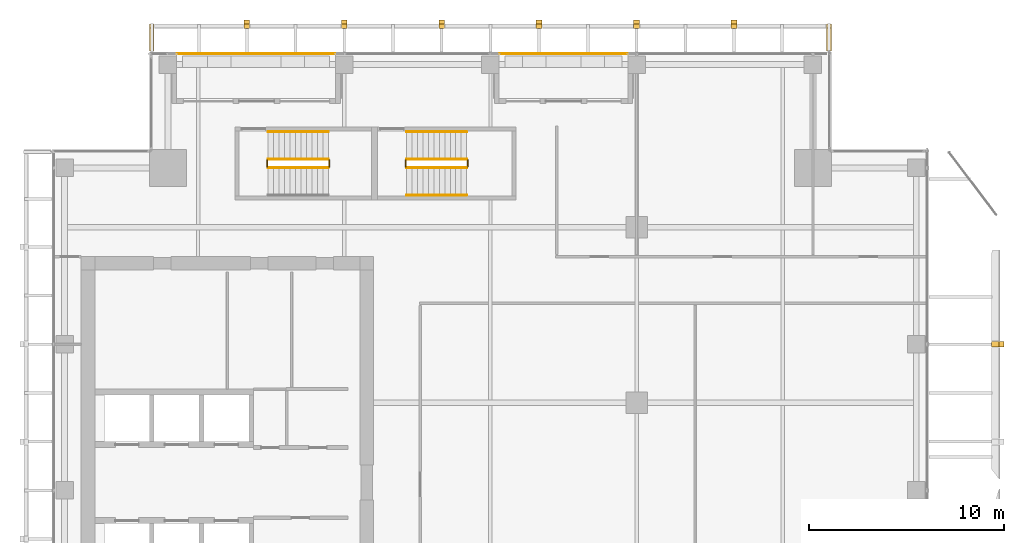
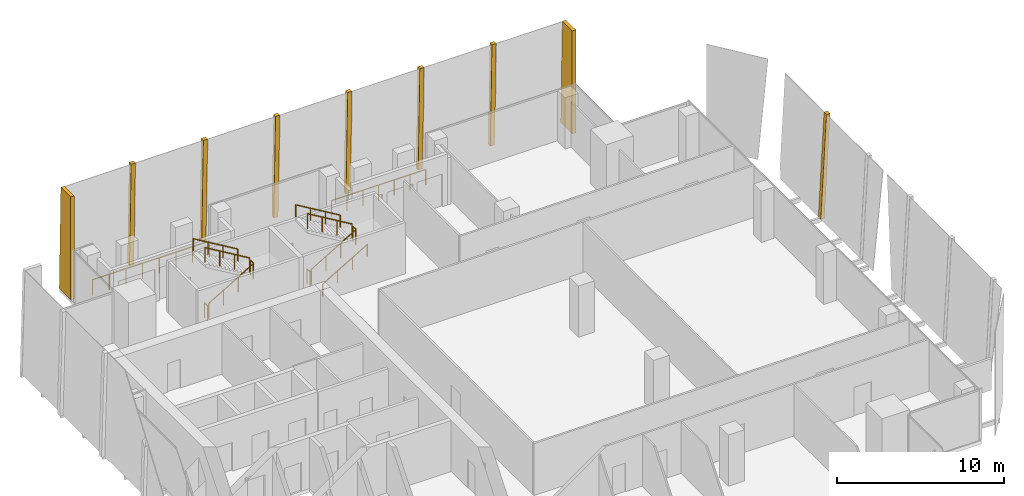
# One storey, part 34 of 35: 13 railings, 9 coverings.
"""IFC4 building model written with IfcOpenShell, lengths in metres."""

from ifc_helpers import new_model, si_unit, direction, frame, origin, origin_2d, place, context, subcontext, project, spatial, polyline, circle, outline, extrude, source, transform, mapped, material, layer, layer_set, type_object, element, save


model = new_model("IFC4")

# Units and contexts
model_context = context("Model", 3, precision=1e-05, world=origin(), true_north=direction((0.0, 1.0)))
body_context = subcontext(model_context, "Body", "Model", "MODEL_VIEW")
ifc_project = project(units=[si_unit("LENGTHUNIT", "METRE"), si_unit("AREAUNIT", "SQUARE_METRE"), si_unit("VOLUMEUNIT", "CUBIC_METRE"), si_unit("PLANEANGLEUNIT", "RADIAN"), si_unit("MASSUNIT", "GRAM", prefix="KILO")], contexts=[model_context])

# Site, building, storey
site_placement = place(None, origin())
site = spatial("IfcSite", under=ifc_project, at=site_placement, CompositionType="ELEMENT")
building_placement = place(site_placement, origin())
building = spatial("IfcBuilding", under=site, at=building_placement, Name="Khomas Fold Tower", CompositionType="ELEMENT")
storey_placement = place(building_placement, frame((0.0, 0.0, 266.199951171875)))
storey = spatial("IfcBuildingStorey", under=building, at=storey_placement, Name="L60", CompositionType="ELEMENT", Elevation=266.199951171875)

# Coverings
ifc_material_1 = material(Name="Natural stone cladding", Category="masonry")
ifc_layer = layer(ifc_material_1, 0.25)
ifc_layer_set = layer_set([ifc_layer], Name="Natural stone cladding")
covering_type = type_object("IfcCoveringType", Name="SK-Karibib marble stone mullion", PredefinedType="CLADDING", material=ifc_layer_set)
covering_1_placement = place(storey_placement, frame((52.7060546875, 34.35009765625, 0.0), z_axis=(-0.998630733741, 0.0, 0.052313073198), x_axis=(0.052313073198, 0.0, 0.998630733741)))
element("IfcCovering", 1, at=covering_1_placement, inside=storey, type_object=covering_type, Name="OUTER SKIN mullion L60 EM103-12", PredefinedType="CLADDING", context=body_context, shape_type="SweptSolid", body=[
    extrude(outline(polyline([(0.0, 0.0), (7.560401030158403, 0.0), (7.560401030158403, 0.29980468750000006), (0.0, 0.29980468750000006), (0.0, 0.0)])), origin(), (0.0, 0.0, -1.0), 0.25),
])
for number, where, z_axis, x_axis, name in (
    (2, (14.35009765625, 51.13720703125, 0.006591796875), (0.0, 0.99965715546, 0.026183421048), (1.0, 0.0, 0.0), "OUTER SKIN mullion L60 N2"),
    (3, (19.35009765625, 51.13720703125, 0.006591796875), (0.0, 0.99965715546, 0.026183421048), (1.0, 0.0, 0.0), "OUTER SKIN mullion L60 N4"),
    (4, (24.35009765625, 51.13720703125, 0.006591796875), (0.0, 0.99965715546, 0.026183421048), (1.0, 0.0, 0.0), "OUTER SKIN mullion L60 N6"),
    (5, (29.35009765625, 51.13720703125, 0.006591796875), (0.0, 0.99965715546, 0.026183421048), (1.0, 0.0, 0.0), "OUTER SKIN mullion L60 N8"),
    (6, (34.35009765625, 51.13720703125, 0.006591796875), (0.0, 0.99965715546, 0.026183421048), (1.0, 0.0, 0.0), "OUTER SKIN mullion L60 N10"),
    (7, (39.35009765625, 51.13720703125, 0.006591796875), (0.0, 0.99965715546, 0.026183421048), (1.0, 0.0, 0.0), "OUTER SKIN mullion L60 N12"),
):
    element("IfcCovering", number, at=place(storey_placement, frame(where, z_axis=z_axis, x_axis=x_axis)), inside=storey, type_object=covering_type, Name=name, PredefinedType="CLADDING", context=body_context, shape_type="SweptSolid", body=[
        extrude(outline(polyline([(0.0, 0.0), (0.2998046875, 0.0), (0.2998046875, -7.552638208898188), (0.0, -7.552638208898188), (0.0, 0.0)])), origin(), (0.0, 0.0, -1.0), 0.25),
    ])
covering_2_placement = place(storey_placement, frame((9.5, 49.550048828125, 7.550048828125), z_axis=(-1.0, 0.0, 0.0), x_axis=(0.0, 1.0, 0.0)))
element("IfcCovering", 8, at=covering_2_placement, inside=storey, type_object=covering_type, Name="OUTER SKIN return L60 N1", PredefinedType="CLADDING", context=body_context, shape_type="SweptSolid", body=[
    extrude(outline(polyline([(0.0, 0.0), (1.179443359375, 0.0), (1.377197265625, 7.550048828125), (0.0, 7.550048828125), (0.0, 0.0)])), origin(), (0.0, 0.0, -1.0), 0.25),
])
covering_3_placement = place(storey_placement, frame((44.5, 49.550048828125, 0.0), z_axis=(1.0, 0.0, 0.0), x_axis=(0.0, 1.0, 0.0)))
element("IfcCovering", 9, at=covering_3_placement, inside=storey, type_object=covering_type, Name="OUTER SKIN return L60 N2", PredefinedType="CLADDING", context=body_context, shape_type="SweptSolid", body=[
    extrude(outline(polyline([(0.0, 0.0), (1.377197265625, 0.0), (1.179443359375, 7.550048828125), (0.0, 7.550048828125), (0.0, 0.0)])), origin(), (0.0, 0.0, -1.0), 0.25),
])

# Railings
ifc_material_2 = material(Name="Powder-coated steel", Category="steel")
railing_type_1 = type_object("IfcRailingType", Name="Balcony guard", PredefinedType="GUARDRAIL", material=ifc_material_2)
shared_shape_1 = source(origin(), body_context, "Body", "SweptSolid", [
    extrude(circle(Radius=0.02490234375, at=origin_2d()), frame((0.0, 0.0, 1.125), z_axis=(1.0, 0.0, 0.0), x_axis=(0.0, 1.0, 0.0)), (0.0, 0.0, 1.0), 8.090087890625),
    extrude(circle(Radius=0.02001953125, at=origin_2d()), origin(), (0.0, 0.0, 1.0), 1.099853515625),
    extrude(circle(Radius=0.02001953125, at=origin_2d()), frame((1.15576171875, 0.0, 0.0)), (0.0, 0.0, 1.0), 1.099853515625),
    extrude(circle(Radius=0.02001953125, at=origin_2d()), frame((2.3115234375, 0.0, 0.0)), (0.0, 0.0, 1.0), 1.099853515625),
    extrude(circle(Radius=0.02001953125, at=origin_2d()), frame((3.46728515625, 0.0, 0.0)), (0.0, 0.0, 1.0), 1.099853515625),
    extrude(circle(Radius=0.02001953125, at=origin_2d()), frame((4.622802734375, 0.0, 0.0)), (0.0, 0.0, 1.0), 1.099853515625),
    extrude(circle(Radius=0.02001953125, at=origin_2d()), frame((5.778564453125, 0.0, 0.0)), (0.0, 0.0, 1.0), 1.099853515625),
    extrude(circle(Radius=0.02001953125, at=origin_2d()), frame((6.934326171875, 0.0, 0.0)), (0.0, 0.0, 1.0), 1.099853515625),
    extrude(circle(Radius=0.02001953125, at=origin_2d()), frame((8.090087890625, 0.0, 0.0)), (0.0, 0.0, 1.0), 1.099853515625),
])
railing_1_placement = place(storey_placement, frame((10.929931640625, 49.39990234375, -0.044921875)))
element("IfcRailing", 10, at=railing_1_placement, inside=storey, type_object=railing_type_1, Name="Balcony guard BAL-L60-N1", PredefinedType="GUARDRAIL", context=body_context, shape_type="MappedRepresentation", body=[
    mapped(shared_shape_1, transform((0.0, 0.0, 0.0))),
])
shared_shape_2 = source(origin(), body_context, "Body", "SweptSolid", [
    extrude(circle(Radius=0.02490234375, at=origin_2d()), frame((0.0, 0.0, 1.125), z_axis=(1.0, 0.0, 0.0), x_axis=(0.0, 1.0, 0.0)), (0.0, 0.0, 1.0), 6.5400390625),
    extrude(circle(Radius=0.02001953125, at=origin_2d()), origin(), (0.0, 0.0, 1.0), 1.099853515625),
    extrude(circle(Radius=0.02001953125, at=origin_2d()), frame((1.090087890625, 0.0, 0.0)), (0.0, 0.0, 1.0), 1.099853515625),
    extrude(circle(Radius=0.02001953125, at=origin_2d()), frame((2.179931640625, 0.0, 0.0)), (0.0, 0.0, 1.0), 1.099853515625),
    extrude(circle(Radius=0.02001953125, at=origin_2d()), frame((3.27001953125, 0.0, 0.0)), (0.0, 0.0, 1.0), 1.099853515625),
    extrude(circle(Radius=0.02001953125, at=origin_2d()), frame((4.360107421875, 0.0, 0.0)), (0.0, 0.0, 1.0), 1.099853515625),
    extrude(circle(Radius=0.02001953125, at=origin_2d()), frame((5.449951171875, 0.0, 0.0)), (0.0, 0.0, 1.0), 1.099853515625),
    extrude(circle(Radius=0.02001953125, at=origin_2d()), frame((6.5400390625, 0.0, 0.0)), (0.0, 0.0, 1.0), 1.099853515625),
])
railing_2_placement = place(storey_placement, frame((27.47998046875, 49.39990234375, -0.044921875)))
element("IfcRailing", 11, at=railing_2_placement, inside=storey, type_object=railing_type_1, Name="Balcony guard BAL-L60-N3", PredefinedType="GUARDRAIL", context=body_context, shape_type="MappedRepresentation", body=[
    mapped(shared_shape_2, transform((0.0, 0.0, 0.0))),
])
ifc_material_3 = material(Name="Steel balustrade", Category="steel")
railing_type_2 = type_object("IfcRailingType", Name="Stair guard", PredefinedType="GUARDRAIL", material=ifc_material_3)
shared_shape_3 = source(origin(), body_context, "Body", "SweptSolid", [
    extrude(circle(Radius=0.02392578125, at=origin_2d()), frame((0.0, 0.0, 1.076171875), z_axis=(0.0, 1.0, 0.0), x_axis=(-1.0, 0.0, 0.0)), (0.0, 0.0, 1.0), 0.349853515625),
    extrude(circle(Radius=0.02099609375, at=origin_2d()), origin(), (0.0, 0.0, 1.0), 1.052001953125),
    extrude(circle(Radius=0.02099609375, at=origin_2d()), frame((0.0, 0.349853515625, 0.0)), (0.0, 0.0, 1.0), 1.052001953125),
])
for number, where, name in (
    (12, (18.72998046875, 43.60009765625, 2.0), "L60 ST1 stair guard 2"),
    (13, (15.550048828125, 43.60009765625, 0.0), "L60 ST1 stair guard 4"),
    (14, (25.830078125, 43.60009765625, 2.0), "L60 ST3 stair guard 2"),
    (15, (22.64990234375, 43.60009765625, 0.0), "L60 ST3 stair guard 4"),
):
    element("IfcRailing", number, at=place(storey_placement, frame(where)), inside=storey, type_object=railing_type_2, Name=name, PredefinedType="GUARDRAIL", context=body_context, shape_type="MappedRepresentation", body=[
        mapped(shared_shape_3, transform((0.0, 0.0, 0.0))),
    ])
shared_shape_4 = source(origin(), body_context, "Body", "SweptSolid", [
    extrude(circle(Radius=0.02392578125, at=origin_2d()), frame((0.0, 0.0, 1.076171875), z_axis=(0.859290745958, 0.0, 0.51148745235), x_axis=(0.0, 1.0, 0.0)), (0.0, 0.0, 1.0), 3.584228515625),
    extrude(circle(Radius=0.02099609375, at=origin_2d()), origin(), (0.0, 0.0, 1.0), 1.052001953125),
    extrude(circle(Radius=0.02099609375, at=origin_2d()), frame((1.026611328125, 0.0, 0.611083984375)), (0.0, 0.0, 1.0), 1.052001953125),
    extrude(circle(Radius=0.02099609375, at=origin_2d()), frame((2.05322265625, 0.0, 1.22216796875)), (0.0, 0.0, 1.0), 1.052001953125),
    extrude(circle(Radius=0.02099609375, at=origin_2d()), frame((3.079833984375, 0.0, 1.833251953125)), (0.0, 0.0, 1.0), 1.052001953125),
])
railing_3_placement = place(storey_placement, frame((15.60009765625, 43.550048828125, 0.166748046875)))
element("IfcRailing", 16, at=railing_3_placement, inside=storey, type_object=railing_type_2, Name="L60 ST1 stair guard 1", PredefinedType="GUARDRAIL", context=body_context, shape_type="MappedRepresentation", body=[
    mapped(shared_shape_4, transform((0.0, 0.0, 0.0))),
])
shared_shape_5 = source(origin(), body_context, "Body", "SweptSolid", [
    extrude(circle(Radius=0.02392578125, at=origin_2d()), frame((0.0, 0.0, 1.076171875), z_axis=(-0.859290745958, 0.0, 0.51148745235), x_axis=(0.0, -1.0, 0.0)), (0.0, 0.0, 1.0), 3.584228515625),
    extrude(circle(Radius=0.02099609375, at=origin_2d()), origin(), (0.0, 0.0, 1.0), 1.052001953125),
    extrude(circle(Radius=0.02099609375, at=origin_2d()), frame((-1.026611328125, 0.0, 0.611083984375)), (0.0, 0.0, 1.0), 1.052001953125),
    extrude(circle(Radius=0.02099609375, at=origin_2d()), frame((-2.05322265625, 0.0, 1.22216796875)), (0.0, 0.0, 1.0), 1.052001953125),
    extrude(circle(Radius=0.02099609375, at=origin_2d()), frame((-3.079833984375, 0.0, 1.833251953125)), (0.0, 0.0, 1.0), 1.052001953125),
])
railing_4_placement = place(storey_placement, frame((18.679931640625, 44.0, 2.166748046875)))
element("IfcRailing", 17, at=railing_4_placement, inside=storey, type_object=railing_type_2, Name="L60 ST1 stair guard 3", PredefinedType="GUARDRAIL", context=body_context, shape_type="MappedRepresentation", body=[
    mapped(shared_shape_5, transform((0.0, 0.0, 0.0))),
])
ifc_material_4 = material(Name="Steel handrail", Category="steel")
railing_type_3 = type_object("IfcRailingType", Name="Stair handrail", PredefinedType="HANDRAIL", material=ifc_material_4)
shared_shape_6 = source(origin(), body_context, "Body", "SweptSolid", [
    extrude(circle(Radius=0.02392578125, at=origin_2d()), frame((0.0, 0.0, 0.8759765625), z_axis=(-0.859290745958, 0.0, 0.51148745235), x_axis=(0.0, -1.0, 0.0)), (0.0, 0.0, 1.0), 3.584228515625),
    extrude(circle(Radius=0.02099609375, at=origin_2d()), origin(), (0.0, 0.0, 1.0), 0.851806640625),
    extrude(circle(Radius=0.02099609375, at=origin_2d()), frame((-1.026611328125, 0.0, 0.611083984375)), (0.0, 0.0, 1.0), 0.851806640625),
    extrude(circle(Radius=0.02099609375, at=origin_2d()), frame((-2.05322265625, 0.0, 1.22216796875)), (0.0, 0.0, 1.0), 0.851806640625),
    extrude(circle(Radius=0.02099609375, at=origin_2d()), frame((-3.079833984375, 0.0, 1.833251953125)), (0.0, 0.0, 1.0), 0.851806640625),
])
railing_5_placement = place(storey_placement, frame((18.679931640625, 45.39990234375, 2.166748046875)))
element("IfcRailing", 18, at=railing_5_placement, inside=storey, type_object=railing_type_3, Name="L60 ST1 stair handrail 2", PredefinedType="HANDRAIL", context=body_context, shape_type="MappedRepresentation", body=[
    mapped(shared_shape_6, transform((0.0, 0.0, 0.0))),
])
shared_shape_7 = source(origin(), body_context, "Body", "SweptSolid", [
    extrude(circle(Radius=0.02392578125, at=origin_2d()), frame((0.0, 0.0, 1.076171875), z_axis=(0.859308565015, 0.0, 0.511457515432), x_axis=(0.0, 1.0, 0.0)), (0.0, 0.0, 1.0), 3.58447265625),
    extrude(circle(Radius=0.02099609375, at=origin_2d()), origin(), (0.0, 0.0, 1.0), 1.052001953125),
    extrude(circle(Radius=0.02099609375, at=origin_2d()), frame((1.026611328125, 0.0, 0.611083984375)), (0.0, 0.0, 1.0), 1.052001953125),
    extrude(circle(Radius=0.02099609375, at=origin_2d()), frame((2.053466796875, 0.0, 1.22216796875)), (0.0, 0.0, 1.0), 1.052001953125),
    extrude(circle(Radius=0.02099609375, at=origin_2d()), frame((3.080078125, 0.0, 1.833251953125)), (0.0, 0.0, 1.0), 1.052001953125),
])
railing_6_placement = place(storey_placement, frame((22.699951171875, 43.550048828125, 0.166748046875)))
element("IfcRailing", 19, at=railing_6_placement, inside=storey, type_object=railing_type_2, Name="L60 ST3 stair guard 1", PredefinedType="GUARDRAIL", context=body_context, shape_type="MappedRepresentation", body=[
    mapped(shared_shape_7, transform((0.0, 0.0, 0.0))),
])
shared_shape_8 = source(origin(), body_context, "Body", "SweptSolid", [
    extrude(circle(Radius=0.02392578125, at=origin_2d()), frame((0.0, 0.0, 1.076171875), z_axis=(-0.859308565015, 0.0, 0.511457515432), x_axis=(0.0, -1.0, 0.0)), (0.0, 0.0, 1.0), 3.58447265625),
    extrude(circle(Radius=0.02099609375, at=origin_2d()), origin(), (0.0, 0.0, 1.0), 1.052001953125),
    extrude(circle(Radius=0.02099609375, at=origin_2d()), frame((-1.026611328125, 0.0, 0.611083984375)), (0.0, 0.0, 1.0), 1.052001953125),
    extrude(circle(Radius=0.02099609375, at=origin_2d()), frame((-2.053466796875, 0.0, 1.22216796875)), (0.0, 0.0, 1.0), 1.052001953125),
    extrude(circle(Radius=0.02099609375, at=origin_2d()), frame((-3.080078125, 0.0, 1.833251953125)), (0.0, 0.0, 1.0), 1.052001953125),
])
railing_7_placement = place(storey_placement, frame((25.780029296875, 44.0, 2.166748046875)))
element("IfcRailing", 20, at=railing_7_placement, inside=storey, type_object=railing_type_2, Name="L60 ST3 stair guard 3", PredefinedType="GUARDRAIL", context=body_context, shape_type="MappedRepresentation", body=[
    mapped(shared_shape_8, transform((0.0, 0.0, 0.0))),
])
shared_shape_9 = source(origin(), body_context, "Body", "SweptSolid", [
    extrude(circle(Radius=0.02392578125, at=origin_2d()), frame((0.0, 0.0, 0.8759765625), z_axis=(0.859308565015, 0.0, 0.511457515432), x_axis=(0.0, 1.0, 0.0)), (0.0, 0.0, 1.0), 3.58447265625),
    extrude(circle(Radius=0.02099609375, at=origin_2d()), origin(), (0.0, 0.0, 1.0), 0.851806640625),
    extrude(circle(Radius=0.02099609375, at=origin_2d()), frame((1.026611328125, 0.0, 0.611083984375)), (0.0, 0.0, 1.0), 0.851806640625),
    extrude(circle(Radius=0.02099609375, at=origin_2d()), frame((2.053466796875, 0.0, 1.22216796875)), (0.0, 0.0, 1.0), 0.851806640625),
    extrude(circle(Radius=0.02099609375, at=origin_2d()), frame((3.080078125, 0.0, 1.833251953125)), (0.0, 0.0, 1.0), 0.851806640625),
])
railing_8_placement = place(storey_placement, frame((22.699951171875, 42.14990234375, 0.166748046875)))
element("IfcRailing", 21, at=railing_8_placement, inside=storey, type_object=railing_type_3, Name="L60 ST3 stair handrail 1", PredefinedType="HANDRAIL", context=body_context, shape_type="MappedRepresentation", body=[
    mapped(shared_shape_9, transform((0.0, 0.0, 0.0))),
])
shared_shape_10 = source(origin(), body_context, "Body", "SweptSolid", [
    extrude(circle(Radius=0.02392578125, at=origin_2d()), frame((0.0, 0.0, 0.8759765625), z_axis=(-0.859308565015, 0.0, 0.511457515432), x_axis=(0.0, -1.0, 0.0)), (0.0, 0.0, 1.0), 3.58447265625),
    extrude(circle(Radius=0.02099609375, at=origin_2d()), origin(), (0.0, 0.0, 1.0), 0.851806640625),
    extrude(circle(Radius=0.02099609375, at=origin_2d()), frame((-1.026611328125, 0.0, 0.611083984375)), (0.0, 0.0, 1.0), 0.851806640625),
    extrude(circle(Radius=0.02099609375, at=origin_2d()), frame((-2.053466796875, 0.0, 1.22216796875)), (0.0, 0.0, 1.0), 0.851806640625),
    extrude(circle(Radius=0.02099609375, at=origin_2d()), frame((-3.080078125, 0.0, 1.833251953125)), (0.0, 0.0, 1.0), 0.851806640625),
])
railing_9_placement = place(storey_placement, frame((25.780029296875, 45.39990234375, 2.166748046875)))
element("IfcRailing", 22, at=railing_9_placement, inside=storey, type_object=railing_type_3, Name="L60 ST3 stair handrail 2", PredefinedType="HANDRAIL", context=body_context, shape_type="MappedRepresentation", body=[
    mapped(shared_shape_10, transform((0.0, 0.0, 0.0))),
])

save(model, "model.ifc")
